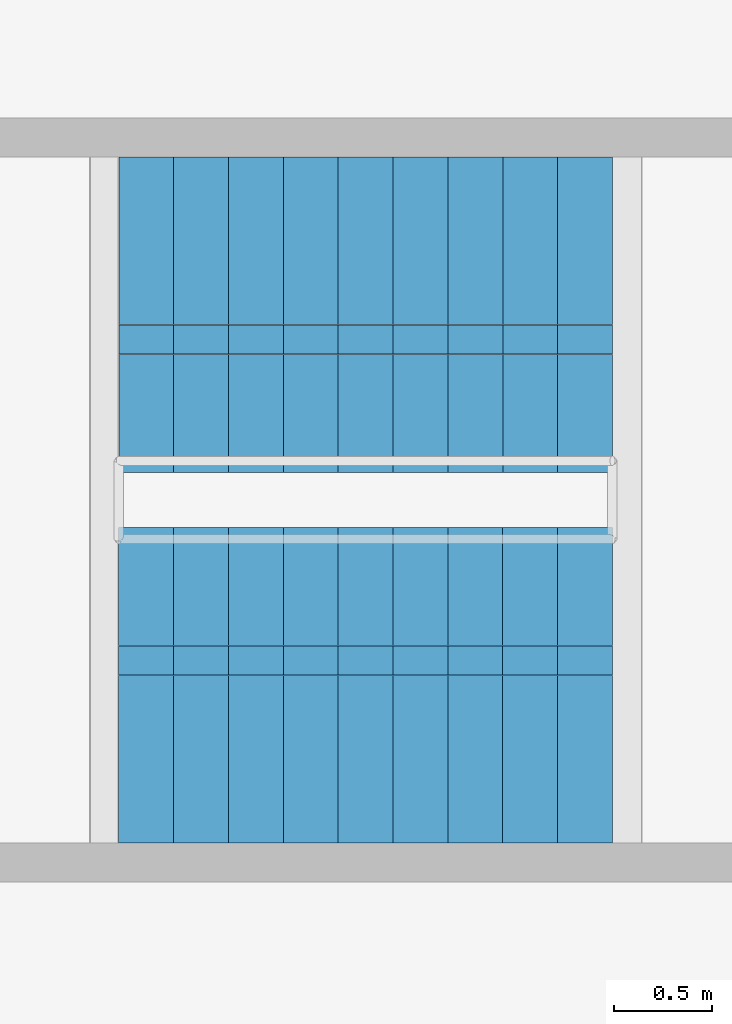
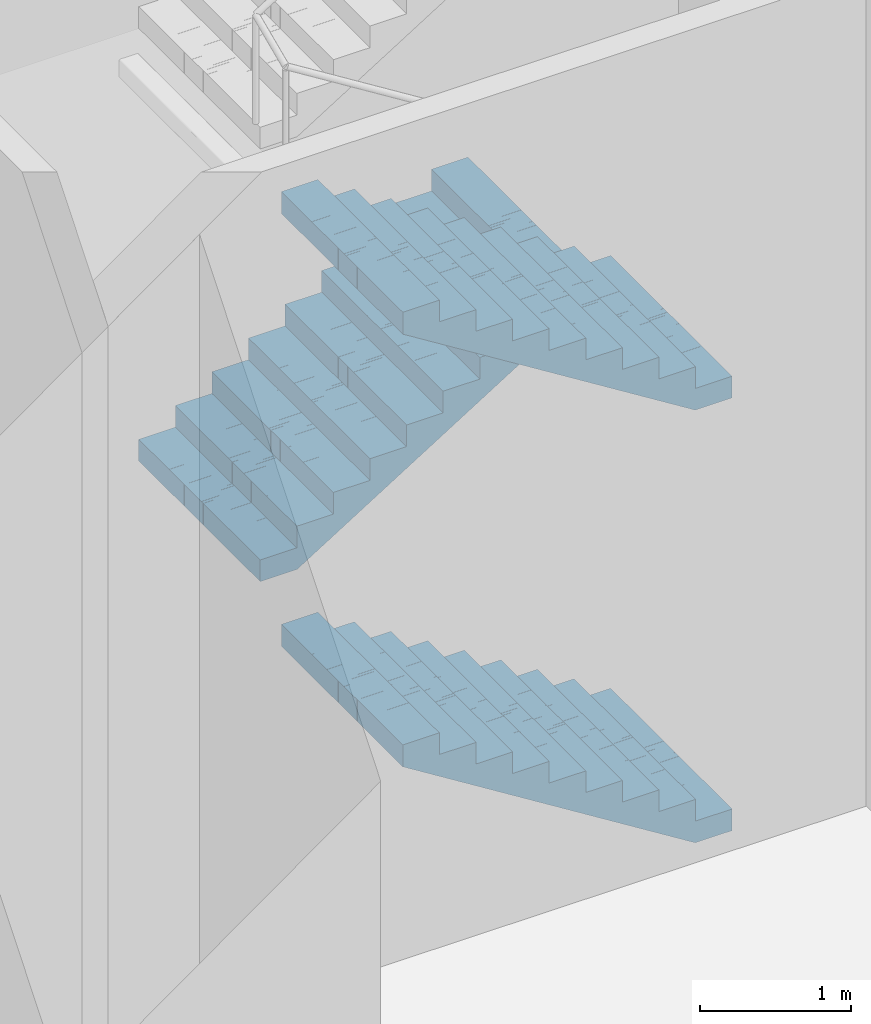
# One storey, part 26 of 43: 3 stair flights, 1 element without a shape of its own.
"""IFC4 building model written with IfcOpenShell, lengths in metres."""

from ifc_helpers import new_model, si_unit, direction, frame, origin, place, context, subcontext, project, spatial, polyline, outline, extrude, material, type_object, element, aggregate, save


model = new_model("IFC4")

# Units and contexts
model_context = context("Model", 3, precision=1e-05, world=origin(), true_north=direction((0.0, 1.0)))
body_context = subcontext(model_context, "Body", "Model", "MODEL_VIEW")
ifc_project = project(units=[si_unit("LENGTHUNIT", "METRE"), si_unit("AREAUNIT", "SQUARE_METRE"), si_unit("VOLUMEUNIT", "CUBIC_METRE"), si_unit("PLANEANGLEUNIT", "RADIAN"), si_unit("MASSUNIT", "GRAM", prefix="KILO")], contexts=[model_context])

# Site, building, storey
site_placement = place(None, origin())
site = spatial("IfcSite", under=ifc_project, at=site_placement, CompositionType="ELEMENT")
building_placement = place(site_placement, origin())
building = spatial("IfcBuilding", under=site, at=building_placement, Name="Mizan Broadcast Tower", CompositionType="ELEMENT")
storey_placement = place(building_placement, origin())
storey = spatial("IfcBuildingStorey", under=building, at=storey_placement, Name="L00", CompositionType="ELEMENT", Elevation=0.0)

# Stair, stair flights
ifc_material_1 = material(Name="Concrete C40/50", Category="concrete")
stair_type = type_object("IfcStairType", Name="EXIT STAIR", PredefinedType="HALF_TURN_STAIR", material=ifc_material_1)
stair_placement = place(storey_placement, origin())
stair = element("IfcStair", 1, at=stair_placement, inside=storey, type_object=stair_type, Name="Stair C L00", PredefinedType="HALF_TURN_STAIR")
ifc_material_2 = material(Name="Concrete C40/50", Category="concrete")
stair_flight_type = type_object("IfcStairFlightType", Name="EXIT STAIR FLIGHT", PredefinedType="STRAIGHT", material=ifc_material_2)
stair_flight_1_placement = place(storey_placement, frame((24.889892578125, 2.205078125, 0.0), z_axis=(0.0, 0.0, 1.0), x_axis=(-1.0, 0.0, 0.0)))
stair_flight_1 = element("IfcStairFlight", 2, at=stair_flight_1_placement, type_object=stair_flight_type, Name="C flight 1", NumberOfRisers=10, NumberOfTreads=9, PredefinedType="STRAIGHT", RiserHeight=0.175, TreadLength=0.28, context=body_context, shape_type="SweptSolid", body=[
    extrude(outline(polyline([(0.0, 0.0), (0.0, 0.175048828125), (0.280029296875, 0.175048828125), (0.280029296875, 0.35009765625), (0.56005859375, 0.35009765625), (0.56005859375, 0.52490234375), (0.840087890625, 0.52490234375), (0.840087890625, 0.699951171875), (1.1201171875, 0.699951171875), (1.1201171875, 0.875), (1.39990234375, 0.875), (1.39990234375, 1.050048828125), (1.679931640625, 1.050048828125), (1.679931640625, 1.22509765625), (1.9599609375, 1.22509765625), (1.9599609375, 1.39990234375), (2.239990234375, 1.39990234375), (2.239990234375, 1.574951171875), (2.52001953125, 1.574951171875), (2.52001953125, 1.75), (2.52001953125, 1.398193359375), (0.28271484375, 0.0), (0.0, 0.0)])), frame((0.0, 0.80517578125, 0.0), z_axis=(0.0, -1.0, 0.0), x_axis=(1.0, 0.0, 0.0)), (0.0, 0.0, 1.0), 0.40234375),
    extrude(outline(polyline([(0.0, 0.0), (0.0, 0.175048828125), (0.280029296875, 0.175048828125), (0.280029296875, 0.35009765625), (0.56005859375, 0.35009765625), (0.56005859375, 0.52490234375), (0.840087890625, 0.52490234375), (0.840087890625, 0.699951171875), (1.1201171875, 0.699951171875), (1.1201171875, 0.875), (1.39990234375, 0.875), (1.39990234375, 1.050048828125), (1.679931640625, 1.050048828125), (1.679931640625, 1.22509765625), (1.9599609375, 1.22509765625), (1.9599609375, 1.39990234375), (2.239990234375, 1.39990234375), (2.239990234375, 1.574951171875), (2.52001953125, 1.574951171875), (2.52001953125, 1.75), (2.52001953125, 1.398193359375), (0.28271484375, 0.0), (0.0, 0.0)])), frame((0.0, 0.40234375, 0.0), z_axis=(0.0, -1.0, 0.0), x_axis=(1.0, 0.0, 0.0)), (0.0, 0.0, 1.0), 0.20068359375),
    extrude(outline(polyline([(0.0, 0.0), (0.0, 0.175048828125), (0.280029296875, 0.175048828125), (0.280029296875, 0.35009765625), (0.56005859375, 0.35009765625), (0.56005859375, 0.52490234375), (0.840087890625, 0.52490234375), (0.840087890625, 0.699951171875), (1.1201171875, 0.699951171875), (1.1201171875, 0.875), (1.39990234375, 0.875), (1.39990234375, 1.050048828125), (1.679931640625, 1.050048828125), (1.679931640625, 1.22509765625), (1.9599609375, 1.22509765625), (1.9599609375, 1.39990234375), (2.239990234375, 1.39990234375), (2.239990234375, 1.574951171875), (2.52001953125, 1.574951171875), (2.52001953125, 1.75), (2.52001953125, 1.398193359375), (0.28271484375, 0.0), (0.0, 0.0)])), frame((0.0, 0.201171875, 0.0), z_axis=(0.0, -1.0, 0.0), x_axis=(1.0, 0.0, 0.0)), (0.0, 0.0, 1.0), 0.10009765625),
    extrude(outline(polyline([(0.0, 0.0), (0.0, 0.175048828125), (0.280029296875, 0.175048828125), (0.280029296875, 0.35009765625), (0.56005859375, 0.35009765625), (0.56005859375, 0.52490234375), (0.840087890625, 0.52490234375), (0.840087890625, 0.699951171875), (1.1201171875, 0.699951171875), (1.1201171875, 0.875), (1.39990234375, 0.875), (1.39990234375, 1.050048828125), (1.679931640625, 1.050048828125), (1.679931640625, 1.22509765625), (1.9599609375, 1.22509765625), (1.9599609375, 1.39990234375), (2.239990234375, 1.39990234375), (2.239990234375, 1.574951171875), (2.52001953125, 1.574951171875), (2.52001953125, 1.75), (2.52001953125, 1.398193359375), (0.28271484375, 0.0), (0.0, 0.0)])), frame((0.0, 0.1005859375, 0.0), z_axis=(0.0, -1.0, 0.0), x_axis=(1.0, 0.0, 0.0)), (0.0, 0.0, 1.0), 0.0498046875),
    extrude(outline(polyline([(0.0, 0.0), (0.0, 0.175048828125), (0.280029296875, 0.175048828125), (0.280029296875, 0.35009765625), (0.56005859375, 0.35009765625), (0.56005859375, 0.52490234375), (0.840087890625, 0.52490234375), (0.840087890625, 0.699951171875), (1.1201171875, 0.699951171875), (1.1201171875, 0.875), (1.39990234375, 0.875), (1.39990234375, 1.050048828125), (1.679931640625, 1.050048828125), (1.679931640625, 1.22509765625), (1.9599609375, 1.22509765625), (1.9599609375, 1.39990234375), (2.239990234375, 1.39990234375), (2.239990234375, 1.574951171875), (2.52001953125, 1.574951171875), (2.52001953125, 1.75), (2.52001953125, 1.398193359375), (0.28271484375, 0.0), (0.0, 0.0)])), frame((0.0, 0.05029296875, 0.0), z_axis=(0.0, -1.0, 0.0), x_axis=(1.0, 0.0, 0.0)), (0.0, 0.0, 1.0), 0.024658203125),
    extrude(outline(polyline([(0.0, 0.0), (0.0, 0.175048828125), (0.280029296875, 0.175048828125), (0.280029296875, 0.35009765625), (0.56005859375, 0.35009765625), (0.56005859375, 0.52490234375), (0.840087890625, 0.52490234375), (0.840087890625, 0.699951171875), (1.1201171875, 0.699951171875), (1.1201171875, 0.875), (1.39990234375, 0.875), (1.39990234375, 1.050048828125), (1.679931640625, 1.050048828125), (1.679931640625, 1.22509765625), (1.9599609375, 1.22509765625), (1.9599609375, 1.39990234375), (2.239990234375, 1.39990234375), (2.239990234375, 1.574951171875), (2.52001953125, 1.574951171875), (2.52001953125, 1.75), (2.52001953125, 1.398193359375), (0.28271484375, 0.0), (0.0, 0.0)])), frame((0.0, 0.025146484375, 0.0), z_axis=(0.0, -1.0, 0.0), x_axis=(1.0, 0.0, 0.0)), (0.0, 0.0, 1.0), 0.050048828125),
    extrude(outline(polyline([(0.0, 0.0), (0.0, 0.175048828125), (0.280029296875, 0.175048828125), (0.280029296875, 0.35009765625), (0.56005859375, 0.35009765625), (0.56005859375, 0.52490234375), (0.840087890625, 0.52490234375), (0.840087890625, 0.699951171875), (1.1201171875, 0.699951171875), (1.1201171875, 0.875), (1.39990234375, 0.875), (1.39990234375, 1.050048828125), (1.679931640625, 1.050048828125), (1.679931640625, 1.22509765625), (1.9599609375, 1.22509765625), (1.9599609375, 1.39990234375), (2.239990234375, 1.39990234375), (2.239990234375, 1.574951171875), (2.52001953125, 1.574951171875), (2.52001953125, 1.75), (2.52001953125, 1.398193359375), (0.28271484375, 0.0), (0.0, 0.0)])), frame((0.0, -0.025390625, 0.0), z_axis=(0.0, -1.0, 0.0), x_axis=(1.0, 0.0, 0.0)), (0.0, 0.0, 1.0), 0.024658203125),
    extrude(outline(polyline([(0.0, 0.0), (0.0, 0.175048828125), (0.280029296875, 0.175048828125), (0.280029296875, 0.35009765625), (0.56005859375, 0.35009765625), (0.56005859375, 0.52490234375), (0.840087890625, 0.52490234375), (0.840087890625, 0.699951171875), (1.1201171875, 0.699951171875), (1.1201171875, 0.875), (1.39990234375, 0.875), (1.39990234375, 1.050048828125), (1.679931640625, 1.050048828125), (1.679931640625, 1.22509765625), (1.9599609375, 1.22509765625), (1.9599609375, 1.39990234375), (2.239990234375, 1.39990234375), (2.239990234375, 1.574951171875), (2.52001953125, 1.574951171875), (2.52001953125, 1.75), (2.52001953125, 1.398193359375), (0.28271484375, 0.0), (0.0, 0.0)])), frame((0.0, -0.050537109375, 0.0), z_axis=(0.0, -1.0, 0.0), x_axis=(1.0, 0.0, 0.0)), (0.0, 0.0, 1.0), 0.0498046875),
    extrude(outline(polyline([(0.0, 0.0), (0.0, 0.175048828125), (0.280029296875, 0.175048828125), (0.280029296875, 0.35009765625), (0.56005859375, 0.35009765625), (0.56005859375, 0.52490234375), (0.840087890625, 0.52490234375), (0.840087890625, 0.699951171875), (1.1201171875, 0.699951171875), (1.1201171875, 0.875), (1.39990234375, 0.875), (1.39990234375, 1.050048828125), (1.679931640625, 1.050048828125), (1.679931640625, 1.22509765625), (1.9599609375, 1.22509765625), (1.9599609375, 1.39990234375), (2.239990234375, 1.39990234375), (2.239990234375, 1.574951171875), (2.52001953125, 1.574951171875), (2.52001953125, 1.75), (2.52001953125, 1.398193359375), (0.28271484375, 0.0), (0.0, 0.0)])), frame((0.0, -0.100830078125, 0.0), z_axis=(0.0, -1.0, 0.0), x_axis=(1.0, 0.0, 0.0)), (0.0, 0.0, 1.0), 0.10009765625),
    extrude(outline(polyline([(0.0, 0.0), (0.0, 0.175048828125), (0.280029296875, 0.175048828125), (0.280029296875, 0.35009765625), (0.56005859375, 0.35009765625), (0.56005859375, 0.52490234375), (0.840087890625, 0.52490234375), (0.840087890625, 0.699951171875), (1.1201171875, 0.699951171875), (1.1201171875, 0.875), (1.39990234375, 0.875), (1.39990234375, 1.050048828125), (1.679931640625, 1.050048828125), (1.679931640625, 1.22509765625), (1.9599609375, 1.22509765625), (1.9599609375, 1.39990234375), (2.239990234375, 1.39990234375), (2.239990234375, 1.574951171875), (2.52001953125, 1.574951171875), (2.52001953125, 1.75), (2.52001953125, 1.398193359375), (0.28271484375, 0.0), (0.0, 0.0)])), frame((0.0, -0.201416015625, 0.0), z_axis=(0.0, -1.0, 0.0), x_axis=(1.0, 0.0, 0.0)), (0.0, 0.0, 1.0), 0.20068359375),
    extrude(outline(polyline([(0.0, 0.0), (0.0, 0.175048828125), (0.280029296875, 0.175048828125), (0.280029296875, 0.35009765625), (0.56005859375, 0.35009765625), (0.56005859375, 0.52490234375), (0.840087890625, 0.52490234375), (0.840087890625, 0.699951171875), (1.1201171875, 0.699951171875), (1.1201171875, 0.875), (1.39990234375, 0.875), (1.39990234375, 1.050048828125), (1.679931640625, 1.050048828125), (1.679931640625, 1.22509765625), (1.9599609375, 1.22509765625), (1.9599609375, 1.39990234375), (2.239990234375, 1.39990234375), (2.239990234375, 1.574951171875), (2.52001953125, 1.574951171875), (2.52001953125, 1.75), (2.52001953125, 1.398193359375), (0.28271484375, 0.0), (0.0, 0.0)])), frame((0.0, -0.402587890625, 0.0), z_axis=(0.0, -1.0, 0.0), x_axis=(1.0, 0.0, 0.0)), (0.0, 0.0, 1.0), 0.40234375),
])
stair_flight_2_placement = place(storey_placement, frame((22.3701171875, 4.094970703125, 1.75), z_axis=(0.0, 0.0, 1.0), x_axis=(1.0, 0.0, 0.0)))
stair_flight_2 = element("IfcStairFlight", 3, at=stair_flight_2_placement, type_object=stair_flight_type, Name="C flight 2", NumberOfRisers=10, NumberOfTreads=9, PredefinedType="STRAIGHT", RiserHeight=0.175, TreadLength=0.28, context=body_context, shape_type="SweptSolid", body=[
    extrude(outline(polyline([(0.0, 0.0), (0.0, 0.175048828125), (0.280029296875, 0.175048828125), (0.280029296875, 0.35009765625), (0.56005859375, 0.35009765625), (0.56005859375, 0.52490234375), (0.840087890625, 0.52490234375), (0.840087890625, 0.699951171875), (1.1201171875, 0.699951171875), (1.1201171875, 0.875), (1.39990234375, 0.875), (1.39990234375, 1.050048828125), (1.679931640625, 1.050048828125), (1.679931640625, 1.22509765625), (1.9599609375, 1.22509765625), (1.9599609375, 1.39990234375), (2.239990234375, 1.39990234375), (2.239990234375, 1.574951171875), (2.52001953125, 1.574951171875), (2.52001953125, 1.75), (2.52001953125, 1.398193359375), (0.28271484375, 0.0), (0.0, 0.0)])), frame((0.0, 0.80517578125, 0.0), z_axis=(0.0, -1.0, 0.0), x_axis=(1.0, 0.0, 0.0)), (0.0, 0.0, 1.0), 0.40234375),
    extrude(outline(polyline([(0.0, 0.0), (0.0, 0.175048828125), (0.280029296875, 0.175048828125), (0.280029296875, 0.35009765625), (0.56005859375, 0.35009765625), (0.56005859375, 0.52490234375), (0.840087890625, 0.52490234375), (0.840087890625, 0.699951171875), (1.1201171875, 0.699951171875), (1.1201171875, 0.875), (1.39990234375, 0.875), (1.39990234375, 1.050048828125), (1.679931640625, 1.050048828125), (1.679931640625, 1.22509765625), (1.9599609375, 1.22509765625), (1.9599609375, 1.39990234375), (2.239990234375, 1.39990234375), (2.239990234375, 1.574951171875), (2.52001953125, 1.574951171875), (2.52001953125, 1.75), (2.52001953125, 1.398193359375), (0.28271484375, 0.0), (0.0, 0.0)])), frame((0.0, 0.40234375, 0.0), z_axis=(0.0, -1.0, 0.0), x_axis=(1.0, 0.0, 0.0)), (0.0, 0.0, 1.0), 0.20068359375),
    extrude(outline(polyline([(0.0, 0.0), (0.0, 0.175048828125), (0.280029296875, 0.175048828125), (0.280029296875, 0.35009765625), (0.56005859375, 0.35009765625), (0.56005859375, 0.52490234375), (0.840087890625, 0.52490234375), (0.840087890625, 0.699951171875), (1.1201171875, 0.699951171875), (1.1201171875, 0.875), (1.39990234375, 0.875), (1.39990234375, 1.050048828125), (1.679931640625, 1.050048828125), (1.679931640625, 1.22509765625), (1.9599609375, 1.22509765625), (1.9599609375, 1.39990234375), (2.239990234375, 1.39990234375), (2.239990234375, 1.574951171875), (2.52001953125, 1.574951171875), (2.52001953125, 1.75), (2.52001953125, 1.398193359375), (0.28271484375, 0.0), (0.0, 0.0)])), frame((0.0, 0.201171875, 0.0), z_axis=(0.0, -1.0, 0.0), x_axis=(1.0, 0.0, 0.0)), (0.0, 0.0, 1.0), 0.10009765625),
    extrude(outline(polyline([(0.0, 0.0), (0.0, 0.175048828125), (0.280029296875, 0.175048828125), (0.280029296875, 0.35009765625), (0.56005859375, 0.35009765625), (0.56005859375, 0.52490234375), (0.840087890625, 0.52490234375), (0.840087890625, 0.699951171875), (1.1201171875, 0.699951171875), (1.1201171875, 0.875), (1.39990234375, 0.875), (1.39990234375, 1.050048828125), (1.679931640625, 1.050048828125), (1.679931640625, 1.22509765625), (1.9599609375, 1.22509765625), (1.9599609375, 1.39990234375), (2.239990234375, 1.39990234375), (2.239990234375, 1.574951171875), (2.52001953125, 1.574951171875), (2.52001953125, 1.75), (2.52001953125, 1.398193359375), (0.28271484375, 0.0), (0.0, 0.0)])), frame((0.0, 0.1005859375, 0.0), z_axis=(0.0, -1.0, 0.0), x_axis=(1.0, 0.0, 0.0)), (0.0, 0.0, 1.0), 0.0498046875),
    extrude(outline(polyline([(0.0, 0.0), (0.0, 0.175048828125), (0.280029296875, 0.175048828125), (0.280029296875, 0.35009765625), (0.56005859375, 0.35009765625), (0.56005859375, 0.52490234375), (0.840087890625, 0.52490234375), (0.840087890625, 0.699951171875), (1.1201171875, 0.699951171875), (1.1201171875, 0.875), (1.39990234375, 0.875), (1.39990234375, 1.050048828125), (1.679931640625, 1.050048828125), (1.679931640625, 1.22509765625), (1.9599609375, 1.22509765625), (1.9599609375, 1.39990234375), (2.239990234375, 1.39990234375), (2.239990234375, 1.574951171875), (2.52001953125, 1.574951171875), (2.52001953125, 1.75), (2.52001953125, 1.398193359375), (0.28271484375, 0.0), (0.0, 0.0)])), frame((0.0, 0.05029296875, 0.0), z_axis=(0.0, -1.0, 0.0), x_axis=(1.0, 0.0, 0.0)), (0.0, 0.0, 1.0), 0.024658203125),
    extrude(outline(polyline([(0.0, 0.0), (0.0, 0.175048828125), (0.280029296875, 0.175048828125), (0.280029296875, 0.35009765625), (0.56005859375, 0.35009765625), (0.56005859375, 0.52490234375), (0.840087890625, 0.52490234375), (0.840087890625, 0.699951171875), (1.1201171875, 0.699951171875), (1.1201171875, 0.875), (1.39990234375, 0.875), (1.39990234375, 1.050048828125), (1.679931640625, 1.050048828125), (1.679931640625, 1.22509765625), (1.9599609375, 1.22509765625), (1.9599609375, 1.39990234375), (2.239990234375, 1.39990234375), (2.239990234375, 1.574951171875), (2.52001953125, 1.574951171875), (2.52001953125, 1.75), (2.52001953125, 1.398193359375), (0.28271484375, 0.0), (0.0, 0.0)])), frame((0.0, 0.025146484375, 0.0), z_axis=(0.0, -1.0, 0.0), x_axis=(1.0, 0.0, 0.0)), (0.0, 0.0, 1.0), 0.050048828125),
    extrude(outline(polyline([(0.0, 0.0), (0.0, 0.175048828125), (0.280029296875, 0.175048828125), (0.280029296875, 0.35009765625), (0.56005859375, 0.35009765625), (0.56005859375, 0.52490234375), (0.840087890625, 0.52490234375), (0.840087890625, 0.699951171875), (1.1201171875, 0.699951171875), (1.1201171875, 0.875), (1.39990234375, 0.875), (1.39990234375, 1.050048828125), (1.679931640625, 1.050048828125), (1.679931640625, 1.22509765625), (1.9599609375, 1.22509765625), (1.9599609375, 1.39990234375), (2.239990234375, 1.39990234375), (2.239990234375, 1.574951171875), (2.52001953125, 1.574951171875), (2.52001953125, 1.75), (2.52001953125, 1.398193359375), (0.28271484375, 0.0), (0.0, 0.0)])), frame((0.0, -0.025390625, 0.0), z_axis=(0.0, -1.0, 0.0), x_axis=(1.0, 0.0, 0.0)), (0.0, 0.0, 1.0), 0.024658203125),
    extrude(outline(polyline([(0.0, 0.0), (0.0, 0.175048828125), (0.280029296875, 0.175048828125), (0.280029296875, 0.35009765625), (0.56005859375, 0.35009765625), (0.56005859375, 0.52490234375), (0.840087890625, 0.52490234375), (0.840087890625, 0.699951171875), (1.1201171875, 0.699951171875), (1.1201171875, 0.875), (1.39990234375, 0.875), (1.39990234375, 1.050048828125), (1.679931640625, 1.050048828125), (1.679931640625, 1.22509765625), (1.9599609375, 1.22509765625), (1.9599609375, 1.39990234375), (2.239990234375, 1.39990234375), (2.239990234375, 1.574951171875), (2.52001953125, 1.574951171875), (2.52001953125, 1.75), (2.52001953125, 1.398193359375), (0.28271484375, 0.0), (0.0, 0.0)])), frame((0.0, -0.050537109375, 0.0), z_axis=(0.0, -1.0, 0.0), x_axis=(1.0, 0.0, 0.0)), (0.0, 0.0, 1.0), 0.0498046875),
    extrude(outline(polyline([(0.0, 0.0), (0.0, 0.175048828125), (0.280029296875, 0.175048828125), (0.280029296875, 0.35009765625), (0.56005859375, 0.35009765625), (0.56005859375, 0.52490234375), (0.840087890625, 0.52490234375), (0.840087890625, 0.699951171875), (1.1201171875, 0.699951171875), (1.1201171875, 0.875), (1.39990234375, 0.875), (1.39990234375, 1.050048828125), (1.679931640625, 1.050048828125), (1.679931640625, 1.22509765625), (1.9599609375, 1.22509765625), (1.9599609375, 1.39990234375), (2.239990234375, 1.39990234375), (2.239990234375, 1.574951171875), (2.52001953125, 1.574951171875), (2.52001953125, 1.75), (2.52001953125, 1.398193359375), (0.28271484375, 0.0), (0.0, 0.0)])), frame((0.0, -0.100830078125, 0.0), z_axis=(0.0, -1.0, 0.0), x_axis=(1.0, 0.0, 0.0)), (0.0, 0.0, 1.0), 0.10009765625),
    extrude(outline(polyline([(0.0, 0.0), (0.0, 0.175048828125), (0.280029296875, 0.175048828125), (0.280029296875, 0.35009765625), (0.56005859375, 0.35009765625), (0.56005859375, 0.52490234375), (0.840087890625, 0.52490234375), (0.840087890625, 0.699951171875), (1.1201171875, 0.699951171875), (1.1201171875, 0.875), (1.39990234375, 0.875), (1.39990234375, 1.050048828125), (1.679931640625, 1.050048828125), (1.679931640625, 1.22509765625), (1.9599609375, 1.22509765625), (1.9599609375, 1.39990234375), (2.239990234375, 1.39990234375), (2.239990234375, 1.574951171875), (2.52001953125, 1.574951171875), (2.52001953125, 1.75), (2.52001953125, 1.398193359375), (0.28271484375, 0.0), (0.0, 0.0)])), frame((0.0, -0.201416015625, 0.0), z_axis=(0.0, -1.0, 0.0), x_axis=(1.0, 0.0, 0.0)), (0.0, 0.0, 1.0), 0.20068359375),
    extrude(outline(polyline([(0.0, 0.0), (0.0, 0.175048828125), (0.280029296875, 0.175048828125), (0.280029296875, 0.35009765625), (0.56005859375, 0.35009765625), (0.56005859375, 0.52490234375), (0.840087890625, 0.52490234375), (0.840087890625, 0.699951171875), (1.1201171875, 0.699951171875), (1.1201171875, 0.875), (1.39990234375, 0.875), (1.39990234375, 1.050048828125), (1.679931640625, 1.050048828125), (1.679931640625, 1.22509765625), (1.9599609375, 1.22509765625), (1.9599609375, 1.39990234375), (2.239990234375, 1.39990234375), (2.239990234375, 1.574951171875), (2.52001953125, 1.574951171875), (2.52001953125, 1.75), (2.52001953125, 1.398193359375), (0.28271484375, 0.0), (0.0, 0.0)])), frame((0.0, -0.402587890625, 0.0), z_axis=(0.0, -1.0, 0.0), x_axis=(1.0, 0.0, 0.0)), (0.0, 0.0, 1.0), 0.40234375),
])
stair_flight_3_placement = place(storey_placement, frame((24.889892578125, 2.205078125, 3.5), z_axis=(0.0, 0.0, 1.0), x_axis=(-1.0, 0.0, 0.0)))
stair_flight_3 = element("IfcStairFlight", 4, at=stair_flight_3_placement, type_object=stair_flight_type, Name="C flight 3", NumberOfRisers=10, NumberOfTreads=9, PredefinedType="STRAIGHT", RiserHeight=0.175, TreadLength=0.28, context=body_context, shape_type="SweptSolid", body=[
    extrude(outline(polyline([(0.0, 0.0), (0.0, 0.175048828125), (0.280029296875, 0.175048828125), (0.280029296875, 0.35009765625), (0.56005859375, 0.35009765625), (0.56005859375, 0.52490234375), (0.840087890625, 0.52490234375), (0.840087890625, 0.699951171875), (1.1201171875, 0.699951171875), (1.1201171875, 0.875), (1.39990234375, 0.875), (1.39990234375, 1.050048828125), (1.679931640625, 1.050048828125), (1.679931640625, 1.22509765625), (1.9599609375, 1.22509765625), (1.9599609375, 1.39990234375), (2.239990234375, 1.39990234375), (2.239990234375, 1.574951171875), (2.52001953125, 1.574951171875), (2.52001953125, 1.75), (2.52001953125, 1.398193359375), (0.28271484375, 0.0), (0.0, 0.0)])), frame((0.0, 0.80517578125, 0.0), z_axis=(0.0, -1.0, 0.0), x_axis=(1.0, 0.0, 0.0)), (0.0, 0.0, 1.0), 0.40234375),
    extrude(outline(polyline([(0.0, 0.0), (0.0, 0.175048828125), (0.280029296875, 0.175048828125), (0.280029296875, 0.35009765625), (0.56005859375, 0.35009765625), (0.56005859375, 0.52490234375), (0.840087890625, 0.52490234375), (0.840087890625, 0.699951171875), (1.1201171875, 0.699951171875), (1.1201171875, 0.875), (1.39990234375, 0.875), (1.39990234375, 1.050048828125), (1.679931640625, 1.050048828125), (1.679931640625, 1.22509765625), (1.9599609375, 1.22509765625), (1.9599609375, 1.39990234375), (2.239990234375, 1.39990234375), (2.239990234375, 1.574951171875), (2.52001953125, 1.574951171875), (2.52001953125, 1.75), (2.52001953125, 1.398193359375), (0.28271484375, 0.0), (0.0, 0.0)])), frame((0.0, 0.40234375, 0.0), z_axis=(0.0, -1.0, 0.0), x_axis=(1.0, 0.0, 0.0)), (0.0, 0.0, 1.0), 0.20068359375),
    extrude(outline(polyline([(0.0, 0.0), (0.0, 0.175048828125), (0.280029296875, 0.175048828125), (0.280029296875, 0.35009765625), (0.56005859375, 0.35009765625), (0.56005859375, 0.52490234375), (0.840087890625, 0.52490234375), (0.840087890625, 0.699951171875), (1.1201171875, 0.699951171875), (1.1201171875, 0.875), (1.39990234375, 0.875), (1.39990234375, 1.050048828125), (1.679931640625, 1.050048828125), (1.679931640625, 1.22509765625), (1.9599609375, 1.22509765625), (1.9599609375, 1.39990234375), (2.239990234375, 1.39990234375), (2.239990234375, 1.574951171875), (2.52001953125, 1.574951171875), (2.52001953125, 1.75), (2.52001953125, 1.398193359375), (0.28271484375, 0.0), (0.0, 0.0)])), frame((0.0, 0.201171875, 0.0), z_axis=(0.0, -1.0, 0.0), x_axis=(1.0, 0.0, 0.0)), (0.0, 0.0, 1.0), 0.10009765625),
    extrude(outline(polyline([(0.0, 0.0), (0.0, 0.175048828125), (0.280029296875, 0.175048828125), (0.280029296875, 0.35009765625), (0.56005859375, 0.35009765625), (0.56005859375, 0.52490234375), (0.840087890625, 0.52490234375), (0.840087890625, 0.699951171875), (1.1201171875, 0.699951171875), (1.1201171875, 0.875), (1.39990234375, 0.875), (1.39990234375, 1.050048828125), (1.679931640625, 1.050048828125), (1.679931640625, 1.22509765625), (1.9599609375, 1.22509765625), (1.9599609375, 1.39990234375), (2.239990234375, 1.39990234375), (2.239990234375, 1.574951171875), (2.52001953125, 1.574951171875), (2.52001953125, 1.75), (2.52001953125, 1.398193359375), (0.28271484375, 0.0), (0.0, 0.0)])), frame((0.0, 0.1005859375, 0.0), z_axis=(0.0, -1.0, 0.0), x_axis=(1.0, 0.0, 0.0)), (0.0, 0.0, 1.0), 0.0498046875),
    extrude(outline(polyline([(0.0, 0.0), (0.0, 0.175048828125), (0.280029296875, 0.175048828125), (0.280029296875, 0.35009765625), (0.56005859375, 0.35009765625), (0.56005859375, 0.52490234375), (0.840087890625, 0.52490234375), (0.840087890625, 0.699951171875), (1.1201171875, 0.699951171875), (1.1201171875, 0.875), (1.39990234375, 0.875), (1.39990234375, 1.050048828125), (1.679931640625, 1.050048828125), (1.679931640625, 1.22509765625), (1.9599609375, 1.22509765625), (1.9599609375, 1.39990234375), (2.239990234375, 1.39990234375), (2.239990234375, 1.574951171875), (2.52001953125, 1.574951171875), (2.52001953125, 1.75), (2.52001953125, 1.398193359375), (0.28271484375, 0.0), (0.0, 0.0)])), frame((0.0, 0.05029296875, 0.0), z_axis=(0.0, -1.0, 0.0), x_axis=(1.0, 0.0, 0.0)), (0.0, 0.0, 1.0), 0.024658203125),
    extrude(outline(polyline([(0.0, 0.0), (0.0, 0.175048828125), (0.280029296875, 0.175048828125), (0.280029296875, 0.35009765625), (0.56005859375, 0.35009765625), (0.56005859375, 0.52490234375), (0.840087890625, 0.52490234375), (0.840087890625, 0.699951171875), (1.1201171875, 0.699951171875), (1.1201171875, 0.875), (1.39990234375, 0.875), (1.39990234375, 1.050048828125), (1.679931640625, 1.050048828125), (1.679931640625, 1.22509765625), (1.9599609375, 1.22509765625), (1.9599609375, 1.39990234375), (2.239990234375, 1.39990234375), (2.239990234375, 1.574951171875), (2.52001953125, 1.574951171875), (2.52001953125, 1.75), (2.52001953125, 1.398193359375), (0.28271484375, 0.0), (0.0, 0.0)])), frame((0.0, 0.025146484375, 0.0), z_axis=(0.0, -1.0, 0.0), x_axis=(1.0, 0.0, 0.0)), (0.0, 0.0, 1.0), 0.050048828125),
    extrude(outline(polyline([(0.0, 0.0), (0.0, 0.175048828125), (0.280029296875, 0.175048828125), (0.280029296875, 0.35009765625), (0.56005859375, 0.35009765625), (0.56005859375, 0.52490234375), (0.840087890625, 0.52490234375), (0.840087890625, 0.699951171875), (1.1201171875, 0.699951171875), (1.1201171875, 0.875), (1.39990234375, 0.875), (1.39990234375, 1.050048828125), (1.679931640625, 1.050048828125), (1.679931640625, 1.22509765625), (1.9599609375, 1.22509765625), (1.9599609375, 1.39990234375), (2.239990234375, 1.39990234375), (2.239990234375, 1.574951171875), (2.52001953125, 1.574951171875), (2.52001953125, 1.75), (2.52001953125, 1.398193359375), (0.28271484375, 0.0), (0.0, 0.0)])), frame((0.0, -0.025390625, 0.0), z_axis=(0.0, -1.0, 0.0), x_axis=(1.0, 0.0, 0.0)), (0.0, 0.0, 1.0), 0.024658203125),
    extrude(outline(polyline([(0.0, 0.0), (0.0, 0.175048828125), (0.280029296875, 0.175048828125), (0.280029296875, 0.35009765625), (0.56005859375, 0.35009765625), (0.56005859375, 0.52490234375), (0.840087890625, 0.52490234375), (0.840087890625, 0.699951171875), (1.1201171875, 0.699951171875), (1.1201171875, 0.875), (1.39990234375, 0.875), (1.39990234375, 1.050048828125), (1.679931640625, 1.050048828125), (1.679931640625, 1.22509765625), (1.9599609375, 1.22509765625), (1.9599609375, 1.39990234375), (2.239990234375, 1.39990234375), (2.239990234375, 1.574951171875), (2.52001953125, 1.574951171875), (2.52001953125, 1.75), (2.52001953125, 1.398193359375), (0.28271484375, 0.0), (0.0, 0.0)])), frame((0.0, -0.050537109375, 0.0), z_axis=(0.0, -1.0, 0.0), x_axis=(1.0, 0.0, 0.0)), (0.0, 0.0, 1.0), 0.0498046875),
    extrude(outline(polyline([(0.0, 0.0), (0.0, 0.175048828125), (0.280029296875, 0.175048828125), (0.280029296875, 0.35009765625), (0.56005859375, 0.35009765625), (0.56005859375, 0.52490234375), (0.840087890625, 0.52490234375), (0.840087890625, 0.699951171875), (1.1201171875, 0.699951171875), (1.1201171875, 0.875), (1.39990234375, 0.875), (1.39990234375, 1.050048828125), (1.679931640625, 1.050048828125), (1.679931640625, 1.22509765625), (1.9599609375, 1.22509765625), (1.9599609375, 1.39990234375), (2.239990234375, 1.39990234375), (2.239990234375, 1.574951171875), (2.52001953125, 1.574951171875), (2.52001953125, 1.75), (2.52001953125, 1.398193359375), (0.28271484375, 0.0), (0.0, 0.0)])), frame((0.0, -0.100830078125, 0.0), z_axis=(0.0, -1.0, 0.0), x_axis=(1.0, 0.0, 0.0)), (0.0, 0.0, 1.0), 0.10009765625),
    extrude(outline(polyline([(0.0, 0.0), (0.0, 0.175048828125), (0.280029296875, 0.175048828125), (0.280029296875, 0.35009765625), (0.56005859375, 0.35009765625), (0.56005859375, 0.52490234375), (0.840087890625, 0.52490234375), (0.840087890625, 0.699951171875), (1.1201171875, 0.699951171875), (1.1201171875, 0.875), (1.39990234375, 0.875), (1.39990234375, 1.050048828125), (1.679931640625, 1.050048828125), (1.679931640625, 1.22509765625), (1.9599609375, 1.22509765625), (1.9599609375, 1.39990234375), (2.239990234375, 1.39990234375), (2.239990234375, 1.574951171875), (2.52001953125, 1.574951171875), (2.52001953125, 1.75), (2.52001953125, 1.398193359375), (0.28271484375, 0.0), (0.0, 0.0)])), frame((0.0, -0.201416015625, 0.0), z_axis=(0.0, -1.0, 0.0), x_axis=(1.0, 0.0, 0.0)), (0.0, 0.0, 1.0), 0.20068359375),
    extrude(outline(polyline([(0.0, 0.0), (0.0, 0.175048828125), (0.280029296875, 0.175048828125), (0.280029296875, 0.35009765625), (0.56005859375, 0.35009765625), (0.56005859375, 0.52490234375), (0.840087890625, 0.52490234375), (0.840087890625, 0.699951171875), (1.1201171875, 0.699951171875), (1.1201171875, 0.875), (1.39990234375, 0.875), (1.39990234375, 1.050048828125), (1.679931640625, 1.050048828125), (1.679931640625, 1.22509765625), (1.9599609375, 1.22509765625), (1.9599609375, 1.39990234375), (2.239990234375, 1.39990234375), (2.239990234375, 1.574951171875), (2.52001953125, 1.574951171875), (2.52001953125, 1.75), (2.52001953125, 1.398193359375), (0.28271484375, 0.0), (0.0, 0.0)])), frame((0.0, -0.402587890625, 0.0), z_axis=(0.0, -1.0, 0.0), x_axis=(1.0, 0.0, 0.0)), (0.0, 0.0, 1.0), 0.40234375),
])
aggregate(stair, [stair_flight_1, stair_flight_2, stair_flight_3])

save(model, "model.ifc")
